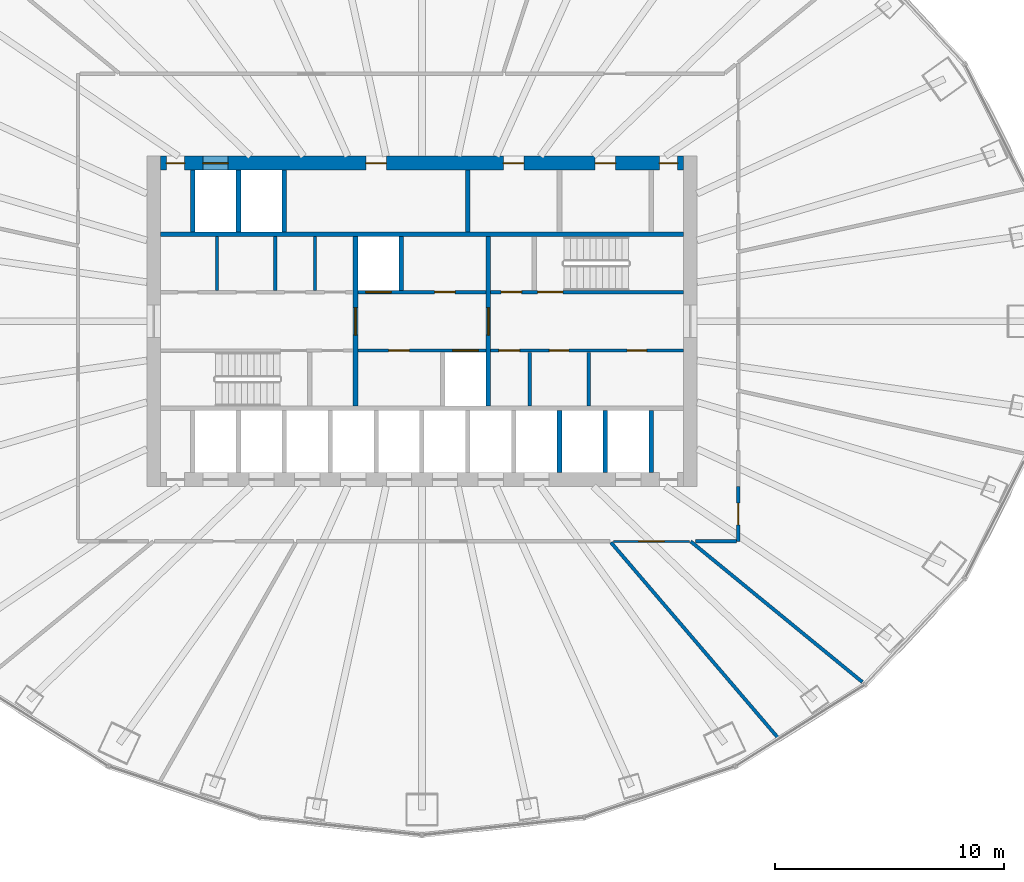
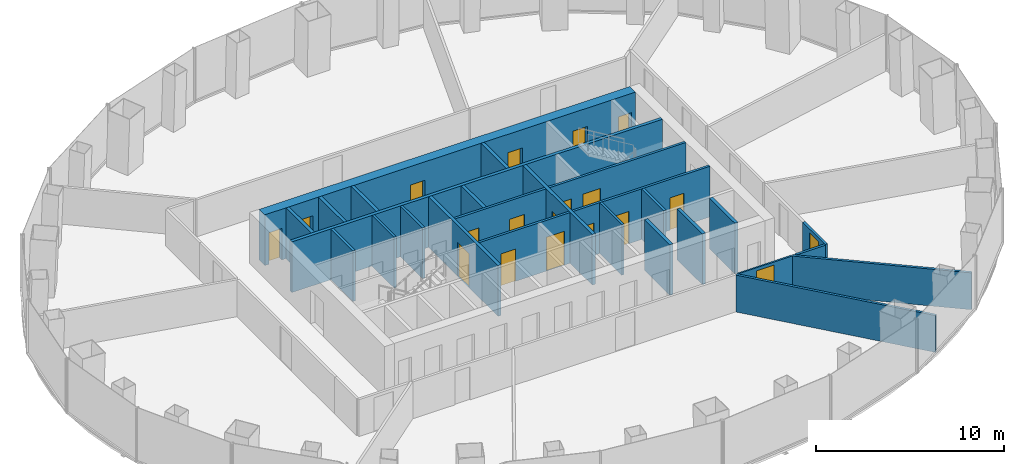
# One storey, part 9 of 11: 26 walls, 19 doors, 19 openings.
"""IFC4 building model written with IfcOpenShell, lengths in metres."""

from ifc_helpers import new_model, si_unit, direction, frame, frame_2d, origin, place, context, subcontext, project, spatial, rectangle, extrude, material, layer, layer_set, type_object, element, fill, save


model = new_model("IFC4")

# Units and contexts
model_context = context("Model", 3, precision=1e-05, world=origin(), true_north=direction((0.0, 1.0)))
body_context = subcontext(model_context, "Body", "Model", "MODEL_VIEW")
ifc_project = project(units=[si_unit("LENGTHUNIT", "METRE"), si_unit("AREAUNIT", "SQUARE_METRE"), si_unit("VOLUMEUNIT", "CUBIC_METRE"), si_unit("PLANEANGLEUNIT", "RADIAN"), si_unit("MASSUNIT", "GRAM", prefix="KILO")], contexts=[model_context])

# Site, building, storey
site_placement = place(None, origin())
site = spatial("IfcSite", under=ifc_project, at=site_placement, CompositionType="ELEMENT")
building_placement = place(site_placement, origin())
building = spatial("IfcBuilding", under=site, at=building_placement, Name="Siaravel Broadcast Tower", CompositionType="ELEMENT")
storey_placement = place(building_placement, frame((0.0, 0.0, 63.0)))
storey = spatial("IfcBuildingStorey", under=building, at=storey_placement, Name="L14", CompositionType="ELEMENT", Elevation=63.0)

# Walls
ifc_material_1 = material(Name="Concrete blockwork", Category="masonry")
ifc_layer_1 = layer(ifc_material_1, 0.14990234375)
ifc_layer_set_1 = layer_set([ifc_layer_1], Name="Concrete blockwork")
wall_type_1 = type_object("IfcWallType", Name="Core partition 150", PredefinedType="PARTITIONING", material=ifc_layer_set_1)
for number, where, z_axis, x_axis, name in (
    (1, (-8.93994140625, 1.35009765625, 0.0), (0.0, 0.0, 1.0), (0.0, 1.0, 0.0), "L14 core partition PNW0"),
    (2, (-6.405029296875, 1.35009765625, 0.0), (0.0, 0.0, 1.0), (0.0, 1.0, 0.0), "L14 core partition PNW1"),
    (3, (-4.6650390625, 1.35009765625, 0.0), (0.0, 0.0, 1.0), (0.0, 1.0, 0.0), "L14 core partition PNW2"),
    (4, (4.695068359375, -3.699951171875, 0.0), (0.0, 0.0, 1.0), (0.0, 1.0, 0.0), "L14 core partition PSE0"),
    (5, (7.27490234375, -3.699951171875, 0.0), (0.0, 0.0, 1.0), (0.0, 1.0, 0.0), "L14 core partition PSE1"),
):
    element("IfcWall", number, at=place(storey_placement, frame(where, z_axis=z_axis, x_axis=x_axis)), inside=storey, type_object=wall_type_1, Name=name, PredefinedType="PARTITIONING", context=body_context, shape_type="SweptSolid", body=[
        extrude(rectangle(XDim=2.349853515625, YDim=0.14990234375, at=frame_2d((1.1748046875, 0.0))), origin(), (0.0, 0.0, 1.0), 3.300048828125),
    ])
ifc_layer_2 = layer(ifc_material_1, 0.199951171875)
ifc_layer_set_2 = layer_set([ifc_layer_2], Name="Concrete blockwork")
wall_type_2 = type_object("IfcWallType", Name="Core partition 200", PredefinedType="PARTITIONING", material=ifc_layer_set_2)
wall_1_placement = place(storey_placement, frame((2.0, 3.89990234375, 0.0), z_axis=(0.0, 0.0, 1.0), x_axis=(0.0, 1.0, 0.0)))
element("IfcWall", 6, at=wall_1_placement, inside=storey, type_object=wall_type_2, Name="L14 core partition PFN2", PredefinedType="PARTITIONING", context=body_context, shape_type="SweptSolid", body=[
    extrude(rectangle(XDim=2.7001953125, YDim=0.199951171875, at=frame_2d((1.35009765625, 0.0))), origin(), (0.0, 0.0, 1.0), 3.300048828125),
])

# Wall, openings, doors
ifc_material_2 = material(Name="Concrete C60/75", Category="concrete")
ifc_layer_3 = layer(ifc_material_2, 0.60009765625)
ifc_layer_set_3 = layer_set([ifc_layer_3], Name="Concrete C60/75")
wall_type_3 = type_object("IfcWallType", Name="Core wall 600", PredefinedType="SHEAR", material=ifc_layer_set_3)
wall_2_placement = place(storey_placement, frame((-11.39990234375, 6.89990234375, 0.0), z_axis=(0.0, 0.0, 1.0), x_axis=(1.0, 0.0, 0.0)))
wall_2 = element("IfcWall", 7, at=wall_2_placement, inside=storey, type_object=wall_type_3, Name="L14 core wall ON", PredefinedType="SHEAR", context=body_context, shape_type="SweptSolid", body=[
    extrude(rectangle(XDim=22.7998046875, YDim=0.60009765625, at=frame_2d((11.39990234375, 0.0))), origin(), (0.0, 0.0, 1.0), 3.300048828125),
])
opening_1_placement = place(wall_2_placement, frame((1.85009765625, 0.0, 0.0)))
opening_1 = element("IfcOpeningElement", 8, at=opening_1_placement, cuts=wall_2, Name="Opening LD-SV2-L14", PredefinedType="OPENING", context=body_context, shape_type="SweptSolid", body=[
    extrude(rectangle(XDim=1.10009765625, YDim=2.199951171875, at=frame_2d((0.550048828125, 1.10009765625))), frame((0.0, 0.31005859375, 0.0), z_axis=(0.0, -1.0, 0.0), x_axis=(1.0, 0.0, 0.0)), (0.0, 0.0, 1.0), 0.6201171875),
])
opening_2_placement = place(wall_2_placement, frame((8.949951171875, 0.0, 0.0)))
opening_2 = element("IfcOpeningElement", 9, at=opening_2_placement, cuts=wall_2, Name="Opening L14-DFN2", PredefinedType="OPENING", context=body_context, shape_type="SweptSolid", body=[
    extrude(rectangle(XDim=0.89990234375, YDim=2.10009765625, at=frame_2d((0.449951171875, 1.050048828125))), frame((0.0, 0.31005859375, 0.0), z_axis=(0.0, -1.0, 0.0), x_axis=(1.0, 0.0, 0.0)), (0.0, 0.0, 1.0), 0.6201171875),
])
opening_3_placement = place(wall_2_placement, frame((14.949951171875, 0.0, 0.0)))
opening_3 = element("IfcOpeningElement", 10, at=opening_3_placement, cuts=wall_2, Name="Opening L14-DFN6", PredefinedType="OPENING", context=body_context, shape_type="SweptSolid", body=[
    extrude(rectangle(XDim=0.89990234375, YDim=2.10009765625, at=frame_2d((0.449951171875, 1.050048828125))), frame((0.0, 0.31005859375, 0.0), z_axis=(0.0, -1.0, 0.0), x_axis=(1.0, 0.0, 0.0)), (0.0, 0.0, 1.0), 0.6201171875),
])
opening_4_placement = place(wall_2_placement, frame((18.949951171875, 0.0, 0.0)))
opening_4 = element("IfcOpeningElement", 11, at=opening_4_placement, cuts=wall_2, Name="Opening L14-DFN8", PredefinedType="OPENING", context=body_context, shape_type="SweptSolid", body=[
    extrude(rectangle(XDim=0.89990234375, YDim=2.10009765625, at=frame_2d((0.449951171875, 1.050048828125))), frame((0.0, 0.31005859375, 0.0), z_axis=(0.0, -1.0, 0.0), x_axis=(1.0, 0.0, 0.0)), (0.0, 0.0, 1.0), 0.6201171875),
])
opening_5_placement = place(wall_2_placement, frame((0.25, 0.0, 0.0)))
opening_5 = element("IfcOpeningElement", 12, at=opening_5_placement, cuts=wall_2, Name="Opening L14-DRNW", PredefinedType="OPENING", context=body_context, shape_type="SweptSolid", body=[
    extrude(rectangle(XDim=0.800048828125, YDim=2.050048828125, at=frame_2d((0.39990234375, 1.02490234375))), frame((0.0, 0.31005859375, 0.0), z_axis=(0.0, -1.0, 0.0), x_axis=(1.0, 0.0, 0.0)), (0.0, 0.0, 1.0), 0.6201171875),
])
opening_6_placement = place(wall_2_placement, frame((21.75, 0.0, 0.0)))
opening_6 = element("IfcOpeningElement", 13, at=opening_6_placement, cuts=wall_2, Name="Opening L14-DRNE", PredefinedType="OPENING", context=body_context, shape_type="SweptSolid", body=[
    extrude(rectangle(XDim=0.800048828125, YDim=2.050048828125, at=frame_2d((0.39990234375, 1.02490234375))), frame((0.0, 0.31005859375, 0.0), z_axis=(0.0, -1.0, 0.0), x_axis=(1.0, 0.0, 0.0)), (0.0, 0.0, 1.0), 0.6201171875),
])
ifc_material_3 = material(Name="Timber veneer", Category="wood")
door_type_1 = type_object("IfcDoorType", Name="Core room door 900", OperationType="SINGLE_SWING_LEFT", PredefinedType="DOOR", material=ifc_material_3)
door_1_placement = place(opening_2_placement, origin())
door_1 = element("IfcDoor", 14, at=door_1_placement, inside=storey, type_object=door_type_1, Name="L14 door DFN2", OperationType="SINGLE_SWING_LEFT", OverallHeight=2.10009765625, OverallWidth=0.89990234375, PredefinedType="DOOR", context=body_context, shape_type="SweptSolid", body=[
    extrude(rectangle(XDim=0.89990234375, YDim=2.10009765625, at=frame_2d((0.449951171875, 1.050048828125))), frame((0.0, 0.02490234375, 0.0), z_axis=(0.0, -1.0, 0.0), x_axis=(1.0, 0.0, 0.0)), (0.0, 0.0, 1.0), 0.050048828125),
])
fill(opening_2, door_1)
door_2_placement = place(opening_3_placement, origin())
door_2 = element("IfcDoor", 15, at=door_2_placement, inside=storey, type_object=door_type_1, Name="L14 door DFN6", OperationType="SINGLE_SWING_LEFT", OverallHeight=2.10009765625, OverallWidth=0.89990234375, PredefinedType="DOOR", context=body_context, shape_type="SweptSolid", body=[
    extrude(rectangle(XDim=0.89990234375, YDim=2.10009765625, at=frame_2d((0.449951171875, 1.050048828125))), frame((0.0, 0.02490234375, 0.0), z_axis=(0.0, -1.0, 0.0), x_axis=(1.0, 0.0, 0.0)), (0.0, 0.0, 1.0), 0.050048828125),
])
fill(opening_3, door_2)
door_3_placement = place(opening_4_placement, origin())
door_3 = element("IfcDoor", 16, at=door_3_placement, inside=storey, type_object=door_type_1, Name="L14 door DFN8", OperationType="SINGLE_SWING_LEFT", OverallHeight=2.10009765625, OverallWidth=0.89990234375, PredefinedType="DOOR", context=body_context, shape_type="SweptSolid", body=[
    extrude(rectangle(XDim=0.89990234375, YDim=2.10009765625, at=frame_2d((0.449951171875, 1.050048828125))), frame((0.0, 0.02490234375, 0.0), z_axis=(0.0, -1.0, 0.0), x_axis=(1.0, 0.0, 0.0)), (0.0, 0.0, 1.0), 0.050048828125),
])
fill(opening_4, door_3)
ifc_material_4 = material(Name="Steel", Category="steel")
door_type_2 = type_object("IfcDoorType", Name="Riser door 800", OperationType="SINGLE_SWING_LEFT", PredefinedType="DOOR", material=ifc_material_4)
door_4_placement = place(opening_5_placement, origin())
door_4 = element("IfcDoor", 17, at=door_4_placement, inside=storey, type_object=door_type_2, Name="L14 door DRNW", OperationType="SINGLE_SWING_LEFT", OverallHeight=2.050048828125, OverallWidth=0.800048828125, PredefinedType="DOOR", context=body_context, shape_type="SweptSolid", body=[
    extrude(rectangle(XDim=0.800048828125, YDim=2.050048828125, at=frame_2d((0.39990234375, 1.02490234375))), frame((0.0, 0.02490234375, 0.0), z_axis=(0.0, -1.0, 0.0), x_axis=(1.0, 0.0, 0.0)), (0.0, 0.0, 1.0), 0.050048828125),
])
fill(opening_5, door_4)
door_5_placement = place(opening_6_placement, origin())
door_5 = element("IfcDoor", 18, at=door_5_placement, inside=storey, type_object=door_type_2, Name="L14 door DRNE", OperationType="SINGLE_SWING_LEFT", OverallHeight=2.050048828125, OverallWidth=0.800048828125, PredefinedType="DOOR", context=body_context, shape_type="SweptSolid", body=[
    extrude(rectangle(XDim=0.800048828125, YDim=2.050048828125, at=frame_2d((0.39990234375, 1.02490234375))), frame((0.0, 0.02490234375, 0.0), z_axis=(0.0, -1.0, 0.0), x_axis=(1.0, 0.0, 0.0)), (0.0, 0.0, 1.0), 0.050048828125),
])
fill(opening_6, door_5)
ifc_material_5 = material(Name="Stainless steel 316L", Category="steel")
door_type_3 = type_object("IfcDoorType", Name="Service lift landing door 1100", OperationType="DOUBLE_DOOR_SLIDING", PredefinedType="DOOR", material=ifc_material_5)
door_6_placement = place(opening_1_placement, origin())
door_6 = element("IfcDoor", 19, at=door_6_placement, inside=storey, type_object=door_type_3, Name="Landing door SV2 L14", OperationType="DOUBLE_DOOR_SLIDING", OverallHeight=2.199951171875, OverallWidth=1.10009765625, PredefinedType="DOOR", context=body_context, shape_type="SweptSolid", body=[
    extrude(rectangle(XDim=1.10009765625, YDim=2.199951171875, at=frame_2d((0.550048828125, 1.10009765625))), frame((0.0, 0.02490234375, 0.0), z_axis=(0.0, -1.0, 0.0), x_axis=(1.0, 0.0, 0.0)), (0.0, 0.0, 1.0), 0.050048828125),
])
fill(opening_1, door_6)

ifc_material_6 = material(Name="Gypsum board partition", Category="gypsum")
ifc_layer_4 = layer(ifc_material_6, 0.14990234375)
ifc_layer_set_4 = layer_set([ifc_layer_4], Name="Gypsum board partition")
wall_type_4 = type_object("IfcWallType", Name="Corridor wall 150", PredefinedType="PARTITIONING", material=ifc_layer_set_4)
wall_3_placement = place(storey_placement, frame((3.0, -1.27490234375, 0.0), z_axis=(0.0, 0.0, 1.0), x_axis=(1.0, 0.0, 0.0)))
wall_3 = element("IfcWall", 20, at=wall_3_placement, inside=storey, type_object=wall_type_4, Name="L14 core partition CSE", PredefinedType="PARTITIONING", context=body_context, shape_type="SweptSolid", body=[
    extrude(rectangle(XDim=8.39990234375, YDim=0.14990234375, at=frame_2d((4.199951171875, 0.0))), origin(), (0.0, 0.0, 1.0), 3.300048828125),
])
opening_7_placement = place(wall_3_placement, frame((0.360107421875, 0.0, 0.0)))
opening_7 = element("IfcOpeningElement", 21, at=opening_7_placement, cuts=wall_3, Name="Opening L14-DSE0", PredefinedType="OPENING", context=body_context, shape_type="SweptSolid", body=[
    extrude(rectangle(XDim=0.89990234375, YDim=2.10009765625, at=frame_2d((0.449951171875, 1.050048828125))), frame((0.0, 0.0849609375, 0.0), z_axis=(0.0, -1.0, 0.0), x_axis=(1.0, 0.0, 0.0)), (0.0, 0.0, 1.0), 0.169921875),
])
opening_8_placement = place(wall_3_placement, frame((2.56005859375, 0.0, 0.0)))
opening_8 = element("IfcOpeningElement", 22, at=opening_8_placement, cuts=wall_3, Name="Opening L14-DSE1", PredefinedType="OPENING", context=body_context, shape_type="SweptSolid", body=[
    extrude(rectangle(XDim=0.85009765625, YDim=2.10009765625, at=frame_2d((0.425048828125, 1.050048828125))), frame((0.0, 0.0849609375, 0.0), z_axis=(0.0, -1.0, 0.0), x_axis=(1.0, 0.0, 0.0)), (0.0, 0.0, 1.0), 0.169921875),
])
opening_9_placement = place(wall_3_placement, frame((5.949951171875, 0.0, 0.0)))
opening_9 = element("IfcOpeningElement", 23, at=opening_9_placement, cuts=wall_3, Name="Opening L14-DSE2", PredefinedType="OPENING", context=body_context, shape_type="SweptSolid", body=[
    extrude(rectangle(XDim=0.85009765625, YDim=2.10009765625, at=frame_2d((0.425048828125, 1.050048828125))), frame((0.0, 0.0849609375, 0.0), z_axis=(0.0, -1.0, 0.0), x_axis=(1.0, 0.0, 0.0)), (0.0, 0.0, 1.0), 0.169921875),
])
door_7_placement = place(opening_7_placement, origin())
door_7 = element("IfcDoor", 24, at=door_7_placement, inside=storey, type_object=door_type_1, Name="L14 door DSE0", OperationType="SINGLE_SWING_LEFT", OverallHeight=2.10009765625, OverallWidth=0.89990234375, PredefinedType="DOOR", context=body_context, shape_type="SweptSolid", body=[
    extrude(rectangle(XDim=0.89990234375, YDim=2.10009765625, at=frame_2d((0.449951171875, 1.050048828125))), frame((0.0, 0.02490234375, 0.0), z_axis=(0.0, -1.0, 0.0), x_axis=(1.0, 0.0, 0.0)), (0.0, 0.0, 1.0), 0.050048828125),
])
fill(opening_7, door_7)
door_type_4 = type_object("IfcDoorType", Name="Core toilet door 850", OperationType="SINGLE_SWING_LEFT", PredefinedType="DOOR", material=ifc_material_3)
door_8_placement = place(opening_8_placement, origin())
door_8 = element("IfcDoor", 25, at=door_8_placement, inside=storey, type_object=door_type_4, Name="L14 door DSE1", OperationType="SINGLE_SWING_LEFT", OverallHeight=2.10009765625, OverallWidth=0.85009765625, PredefinedType="DOOR", context=body_context, shape_type="SweptSolid", body=[
    extrude(rectangle(XDim=0.85009765625, YDim=2.10009765625, at=frame_2d((0.425048828125, 1.050048828125))), frame((0.0, 0.02490234375, 0.0), z_axis=(0.0, -1.0, 0.0), x_axis=(1.0, 0.0, 0.0)), (0.0, 0.0, 1.0), 0.050048828125),
])
fill(opening_8, door_8)
door_9_placement = place(opening_9_placement, origin())
door_9 = element("IfcDoor", 26, at=door_9_placement, inside=storey, type_object=door_type_4, Name="L14 door DSE2", OperationType="SINGLE_SWING_LEFT", OverallHeight=2.10009765625, OverallWidth=0.85009765625, PredefinedType="DOOR", context=body_context, shape_type="SweptSolid", body=[
    extrude(rectangle(XDim=0.85009765625, YDim=2.10009765625, at=frame_2d((0.425048828125, 1.050048828125))), frame((0.0, 0.02490234375, 0.0), z_axis=(0.0, -1.0, 0.0), x_axis=(1.0, 0.0, 0.0)), (0.0, 0.0, 1.0), 0.050048828125),
])
fill(opening_9, door_9)

# Wall, opening, door
wall_4_placement = place(storey_placement, frame((13.800048828125, -9.60009765625, 0.0), z_axis=(0.0, 0.0, 1.0), x_axis=(0.0, 1.0, 0.0)))
wall_4 = element("IfcWall", 27, at=wall_4_placement, inside=storey, type_object=wall_type_4, Name="L14 partition 25", PredefinedType="PARTITIONING", context=body_context, shape_type="SweptSolid", body=[
    extrude(rectangle(XDim=2.38720703125, YDim=0.14990234375, at=frame_2d((1.193603515625, 0.0))), origin(), (0.0, 0.0, 1.0), 2.39990234375),
])
opening_10_placement = place(wall_4_placement, frame((0.718505859375, 0.0, 0.0)))
opening_10 = element("IfcOpeningElement", 28, at=opening_10_placement, cuts=wall_4, Name="Opening L14-002", PredefinedType="OPENING", context=body_context, shape_type="SweptSolid", body=[
    extrude(rectangle(XDim=0.949951171875, YDim=2.14990234375, at=frame_2d((0.47509765625, 1.074951171875))), frame((0.0, 0.0849609375, 0.0), z_axis=(0.0, -1.0, 0.0), x_axis=(1.0, 0.0, 0.0)), (0.0, 0.0, 1.0), 0.169921875),
])
door_type_5 = type_object("IfcDoorType", Name="Office door 950", OperationType="SINGLE_SWING_LEFT", PredefinedType="DOOR", material=ifc_material_3)
door_10_placement = place(opening_10_placement, origin())
door_10 = element("IfcDoor", 29, at=door_10_placement, inside=storey, type_object=door_type_5, Name="L14 door to Graphics studio", OperationType="SINGLE_SWING_RIGHT", OverallHeight=2.14990234375, OverallWidth=0.949951171875, PredefinedType="DOOR", context=body_context, shape_type="SweptSolid", body=[
    extrude(rectangle(XDim=0.949951171875, YDim=2.14990234375, at=frame_2d((0.47509765625, 1.074951171875))), frame((0.0, 0.02490234375, 0.0), z_axis=(0.0, -1.0, 0.0), x_axis=(1.0, 0.0, 0.0)), (0.0, 0.0, 1.0), 0.050048828125),
])
fill(opening_10, door_10)

# Wall
wall_5_placement = place(storey_placement, frame((11.931884765625, -9.60009765625, 0.0), z_axis=(0.0, 0.0, 1.0), x_axis=(1.0, 0.0, 0.0)))
element("IfcWall", 30, at=wall_5_placement, inside=storey, type_object=wall_type_4, Name="L14 partition 26", PredefinedType="PARTITIONING", context=body_context, shape_type="SweptSolid", body=[
    extrude(rectangle(XDim=1.791015625, YDim=0.14990234375, at=frame_2d((0.8955078125, 0.0))), origin(), (0.0, 0.0, 1.0), 2.39990234375),
])

# Wall, opening, door
ifc_material_7 = material(Name="Glazed aluminium partition", Category="aluminium")
ifc_layer_5 = layer(ifc_material_7, 0.10009765625)
ifc_layer_set_5 = layer_set([ifc_layer_5], Name="Glazed aluminium partition")
wall_type_5 = type_object("IfcWallType", Name="Glazed meeting room partition 100", PredefinedType="PARTITIONING", material=ifc_layer_set_5)
wall_6_placement = place(storey_placement, frame((8.349853515625, -9.60009765625, 0.0), z_axis=(0.0, 0.0, 1.0), x_axis=(1.0, 0.0, 0.0)))
wall_6 = element("IfcWall", 31, at=wall_6_placement, inside=storey, type_object=wall_type_5, Name="L14 partition 22", PredefinedType="PARTITIONING", context=body_context, shape_type="SweptSolid", body=[
    extrude(rectangle(XDim=3.3271484375, YDim=0.10009765625, at=frame_2d((1.66357421875, 0.0))), origin(), (0.0, 0.0, 1.0), 2.39990234375),
])
opening_11_placement = place(wall_6_placement, frame((1.113525390625, 0.0, 0.0)))
opening_11 = element("IfcOpeningElement", 32, at=opening_11_placement, cuts=wall_6, Name="Opening L14-013", PredefinedType="OPENING", context=body_context, shape_type="SweptSolid", body=[
    extrude(rectangle(XDim=1.10009765625, YDim=2.199951171875, at=frame_2d((0.550048828125, 1.10009765625))), frame((0.0, 0.06005859375, 0.0), z_axis=(0.0, -1.0, 0.0), x_axis=(1.0, 0.0, 0.0)), (0.0, 0.0, 1.0), 0.1201171875),
])
door_type_6 = type_object("IfcDoorType", Name="Meeting room door 1100", OperationType="SINGLE_SWING_LEFT", PredefinedType="DOOR", material=ifc_material_3)
door_11_placement = place(opening_11_placement, origin())
door_11 = element("IfcDoor", 33, at=door_11_placement, inside=storey, type_object=door_type_6, Name="L14 door to Meeting room", OperationType="SINGLE_SWING_LEFT", OverallHeight=2.199951171875, OverallWidth=1.10009765625, PredefinedType="DOOR", context=body_context, shape_type="SweptSolid", body=[
    extrude(rectangle(XDim=1.10009765625, YDim=2.199951171875, at=frame_2d((0.550048828125, 1.10009765625))), frame((0.0, 0.02490234375, 0.0), z_axis=(0.0, -1.0, 0.0), x_axis=(1.0, 0.0, 0.0)), (0.0, 0.0, 1.0), 0.050048828125),
])
fill(opening_11, door_11)

# Walls
ifc_layer_6 = layer(ifc_material_6, 0.14990234375)
ifc_layer_set_6 = layer_set([ifc_layer_6], Name="Gypsum board partition")
wall_type_6 = type_object("IfcWallType", Name="Room partition 150", PredefinedType="PARTITIONING", material=ifc_layer_set_6)
wall_7_placement = place(storey_placement, frame((15.577392578125, -18.22265625, 0.0), z_axis=(0.0, 0.0, 1.0), x_axis=(-0.649782359, 0.76012031, 0.0)))
element("IfcWall", 34, at=wall_7_placement, inside=storey, type_object=wall_type_6, Name="L14 partition 7", PredefinedType="PARTITIONING", context=body_context, shape_type="SweptSolid", body=[
    extrude(rectangle(XDim=11.28466796875, YDim=0.14990234375, at=frame_2d((5.642333984375, 0.0))), origin(), (0.0, 0.0, 1.0), 2.39990234375),
])
wall_8_placement = place(storey_placement, frame((11.72021484375, -9.60009765625, 0.0), z_axis=(0.0, 0.0, 1.0), x_axis=(0.77360313, -0.633670417, 0.0)))
element("IfcWall", 35, at=wall_8_placement, inside=storey, type_object=wall_type_6, Name="L14 partition 11", PredefinedType="PARTITIONING", context=body_context, shape_type="SweptSolid", body=[
    extrude(rectangle(XDim=9.677734375, YDim=0.14990234375, at=frame_2d((4.8388671875, 0.0))), origin(), (0.0, 0.0, 1.0), 2.39990234375),
])

# Wall, openings, doors
ifc_layer_7 = layer(ifc_material_2, 0.14990234375)
ifc_layer_set_7 = layer_set([ifc_layer_7], Name="Concrete C60/75")
wall_type_7 = type_object("IfcWallType", Name="Shaft wall 150", PredefinedType="SHEAR", material=ifc_layer_set_7)
wall_9_placement = place(storey_placement, frame((-2.800048828125, -1.27490234375, 0.0), z_axis=(0.0, 0.0, 1.0), x_axis=(1.0, 0.0, 0.0)))
wall_9 = element("IfcWall", 36, at=wall_9_placement, inside=storey, type_object=wall_type_7, Name="L14 core wall CSM", PredefinedType="SHEAR", context=body_context, shape_type="SweptSolid", body=[
    extrude(rectangle(XDim=5.60009765625, YDim=0.14990234375, at=frame_2d((2.800048828125, 0.0))), origin(), (0.0, 0.0, 1.0), 3.300048828125),
])
opening_12_placement = place(wall_9_placement, frame((4.14990234375, 0.0, 0.0)))
opening_12 = element("IfcOpeningElement", 37, at=opening_12_placement, cuts=wall_9, Name="Opening LD-FL2-L14", PredefinedType="OPENING", context=body_context, shape_type="SweptSolid", body=[
    extrude(rectangle(XDim=1.10009765625, YDim=2.199951171875, at=frame_2d((0.550048828125, 1.10009765625))), frame((0.0, 0.0849609375, 0.0), z_axis=(0.0, -1.0, 0.0), x_axis=(1.0, 0.0, 0.0)), (0.0, 0.0, 1.0), 0.169921875),
])
opening_13_placement = place(wall_9_placement, frame((1.35009765625, 0.0, 0.0)))
opening_13 = element("IfcOpeningElement", 38, at=opening_13_placement, cuts=wall_9, Name="Opening L14-DSM0", PredefinedType="OPENING", context=body_context, shape_type="SweptSolid", body=[
    extrude(rectangle(XDim=0.89990234375, YDim=2.10009765625, at=frame_2d((0.449951171875, 1.050048828125))), frame((0.0, 0.0849609375, 0.0), z_axis=(0.0, -1.0, 0.0), x_axis=(1.0, 0.0, 0.0)), (0.0, 0.0, 1.0), 0.169921875),
])
door_12_placement = place(opening_13_placement, origin())
door_12 = element("IfcDoor", 39, at=door_12_placement, inside=storey, type_object=door_type_1, Name="L14 door DSM0", OperationType="SINGLE_SWING_LEFT", OverallHeight=2.10009765625, OverallWidth=0.89990234375, PredefinedType="DOOR", context=body_context, shape_type="SweptSolid", body=[
    extrude(rectangle(XDim=0.89990234375, YDim=2.10009765625, at=frame_2d((0.449951171875, 1.050048828125))), frame((0.0, 0.02490234375, 0.0), z_axis=(0.0, -1.0, 0.0), x_axis=(1.0, 0.0, 0.0)), (0.0, 0.0, 1.0), 0.050048828125),
])
fill(opening_13, door_12)
door_type_7 = type_object("IfcDoorType", Name="Firefighting lift landing door 1100", OperationType="DOUBLE_DOOR_SLIDING", PredefinedType="DOOR", material=ifc_material_5)
door_13_placement = place(opening_12_placement, origin())
door_13 = element("IfcDoor", 40, at=door_13_placement, inside=storey, type_object=door_type_7, Name="Landing door FL2 L14", OperationType="DOUBLE_DOOR_SLIDING", OverallHeight=2.199951171875, OverallWidth=1.10009765625, PredefinedType="DOOR", context=body_context, shape_type="SweptSolid", body=[
    extrude(rectangle(XDim=1.10009765625, YDim=2.199951171875, at=frame_2d((0.550048828125, 1.10009765625))), frame((0.0, 0.02490234375, 0.0), z_axis=(0.0, -1.0, 0.0), x_axis=(1.0, 0.0, 0.0)), (0.0, 0.0, 1.0), 0.050048828125),
])
fill(opening_12, door_13)

wall_10_placement = place(storey_placement, frame((-2.800048828125, 1.27490234375, 0.0), z_axis=(0.0, 0.0, 1.0), x_axis=(1.0, 0.0, 0.0)))
wall_10 = element("IfcWall", 41, at=wall_10_placement, inside=storey, type_object=wall_type_7, Name="L14 core wall CNM", PredefinedType="SHEAR", context=body_context, shape_type="SweptSolid", body=[
    extrude(rectangle(XDim=5.60009765625, YDim=0.14990234375, at=frame_2d((2.800048828125, 0.0))), origin(), (0.0, 0.0, 1.0), 3.300048828125),
])
opening_14_placement = place(wall_10_placement, frame((0.35009765625, 0.0, 0.0)))
opening_14 = element("IfcOpeningElement", 42, at=opening_14_placement, cuts=wall_10, Name="Opening LD-FL1-L14", PredefinedType="OPENING", context=body_context, shape_type="SweptSolid", body=[
    extrude(rectangle(XDim=1.10009765625, YDim=2.199951171875, at=frame_2d((0.550048828125, 1.10009765625))), frame((0.0, 0.0849609375, 0.0), z_axis=(0.0, -1.0, 0.0), x_axis=(1.0, 0.0, 0.0)), (0.0, 0.0, 1.0), 0.169921875),
])
opening_15_placement = place(wall_10_placement, frame((3.35009765625, 0.0, 0.0)))
opening_15 = element("IfcOpeningElement", 43, at=opening_15_placement, cuts=wall_10, Name="Opening L14-DNM0", PredefinedType="OPENING", context=body_context, shape_type="SweptSolid", body=[
    extrude(rectangle(XDim=0.89990234375, YDim=2.10009765625, at=frame_2d((0.449951171875, 1.050048828125))), frame((0.0, 0.0849609375, 0.0), z_axis=(0.0, -1.0, 0.0), x_axis=(1.0, 0.0, 0.0)), (0.0, 0.0, 1.0), 0.169921875),
])
door_14_placement = place(opening_15_placement, origin())
door_14 = element("IfcDoor", 44, at=door_14_placement, inside=storey, type_object=door_type_1, Name="L14 door DNM0", OperationType="SINGLE_SWING_LEFT", OverallHeight=2.10009765625, OverallWidth=0.89990234375, PredefinedType="DOOR", context=body_context, shape_type="SweptSolid", body=[
    extrude(rectangle(XDim=0.89990234375, YDim=2.10009765625, at=frame_2d((0.449951171875, 1.050048828125))), frame((0.0, 0.02490234375, 0.0), z_axis=(0.0, -1.0, 0.0), x_axis=(1.0, 0.0, 0.0)), (0.0, 0.0, 1.0), 0.050048828125),
])
fill(opening_15, door_14)
door_15_placement = place(opening_14_placement, origin())
door_15 = element("IfcDoor", 45, at=door_15_placement, inside=storey, type_object=door_type_7, Name="Landing door FL1 L14", OperationType="DOUBLE_DOOR_SLIDING", OverallHeight=2.199951171875, OverallWidth=1.10009765625, PredefinedType="DOOR", context=body_context, shape_type="SweptSolid", body=[
    extrude(rectangle(XDim=1.10009765625, YDim=2.199951171875, at=frame_2d((0.550048828125, 1.10009765625))), frame((0.0, 0.02490234375, 0.0), z_axis=(0.0, -1.0, 0.0), x_axis=(1.0, 0.0, 0.0)), (0.0, 0.0, 1.0), 0.050048828125),
])
fill(opening_14, door_15)

wall_11_placement = place(storey_placement, frame((3.0, 1.27490234375, 0.0), z_axis=(0.0, 0.0, 1.0), x_axis=(1.0, 0.0, 0.0)))
wall_11 = element("IfcWall", 46, at=wall_11_placement, inside=storey, type_object=wall_type_7, Name="L14 core wall CNE", PredefinedType="SHEAR", context=body_context, shape_type="SweptSolid", body=[
    extrude(rectangle(XDim=8.39990234375, YDim=0.14990234375, at=frame_2d((4.199951171875, 0.0))), origin(), (0.0, 0.0, 1.0), 3.300048828125),
])
opening_16_placement = place(wall_11_placement, frame((2.050048828125, 0.0, 0.0)))
opening_16 = element("IfcOpeningElement", 47, at=opening_16_placement, cuts=wall_11, Name="Opening L14-DS-2", PredefinedType="OPENING", context=body_context, shape_type="SweptSolid", body=[
    extrude(rectangle(XDim=1.10009765625, YDim=2.14990234375, at=frame_2d((0.550048828125, 1.074951171875))), frame((0.0, 0.0849609375, 0.0), z_axis=(0.0, -1.0, 0.0), x_axis=(1.0, 0.0, 0.0)), (0.0, 0.0, 1.0), 0.169921875),
])
opening_17_placement = place(wall_11_placement, frame((0.449951171875, 0.0, 0.0)))
opening_17 = element("IfcOpeningElement", 48, at=opening_17_placement, cuts=wall_11, Name="Opening L14-DNE0", PredefinedType="OPENING", context=body_context, shape_type="SweptSolid", body=[
    extrude(rectangle(XDim=0.89990234375, YDim=2.10009765625, at=frame_2d((0.449951171875, 1.050048828125))), frame((0.0, 0.0849609375, 0.0), z_axis=(0.0, -1.0, 0.0), x_axis=(1.0, 0.0, 0.0)), (0.0, 0.0, 1.0), 0.169921875),
])
door_16_placement = place(opening_17_placement, origin())
door_16 = element("IfcDoor", 49, at=door_16_placement, inside=storey, type_object=door_type_1, Name="L14 door DNE0", OperationType="SINGLE_SWING_LEFT", OverallHeight=2.10009765625, OverallWidth=0.89990234375, PredefinedType="DOOR", context=body_context, shape_type="SweptSolid", body=[
    extrude(rectangle(XDim=0.89990234375, YDim=2.10009765625, at=frame_2d((0.449951171875, 1.050048828125))), frame((0.0, 0.02490234375, 0.0), z_axis=(0.0, -1.0, 0.0), x_axis=(1.0, 0.0, 0.0)), (0.0, 0.0, 1.0), 0.050048828125),
])
fill(opening_17, door_16)
door_type_8 = type_object("IfcDoorType", Name="Stair door 1100", OperationType="SINGLE_SWING_LEFT", PredefinedType="DOOR", material=ifc_material_4)
door_17_placement = place(opening_16_placement, origin())
door_17 = element("IfcDoor", 50, at=door_17_placement, inside=storey, type_object=door_type_8, Name="L14 door DS-2", OperationType="SINGLE_SWING_LEFT", OverallHeight=2.14990234375, OverallWidth=1.10009765625, PredefinedType="DOOR", context=body_context, shape_type="SweptSolid", body=[
    extrude(rectangle(XDim=1.10009765625, YDim=2.14990234375, at=frame_2d((0.550048828125, 1.074951171875))), frame((0.0, 0.02490234375, 0.0), z_axis=(0.0, -1.0, 0.0), x_axis=(1.0, 0.0, 0.0)), (0.0, 0.0, 1.0), 0.050048828125),
])
fill(opening_16, door_17)

# Walls
ifc_layer_8 = layer(ifc_material_2, 0.199951171875)
ifc_layer_set_8 = layer_set([ifc_layer_8], Name="Concrete C60/75")
wall_type_8 = type_object("IfcWallType", Name="Shaft wall 200", PredefinedType="SHEAR", material=ifc_layer_set_8)
wall_12_placement = place(storey_placement, frame((-11.39990234375, 3.800048828125, 0.0), z_axis=(0.0, 0.0, 1.0), x_axis=(1.0, 0.0, 0.0)))
element("IfcWall", 51, at=wall_12_placement, inside=storey, type_object=wall_type_8, Name="L14 core wall BN", PredefinedType="SHEAR", context=body_context, shape_type="SweptSolid", body=[
    extrude(rectangle(XDim=22.7998046875, YDim=0.199951171875, at=frame_2d((11.39990234375, 0.0))), origin(), (0.0, 0.0, 1.0), 3.300048828125),
])
for number, where, z_axis, x_axis, name in (
    (52, (6.0, -6.60009765625, 0.0), (0.0, 0.0, 1.0), (0.0, 1.0, 0.0), "L14 core wall SWS8"),
    (53, (8.0, -6.60009765625, 0.0), (0.0, 0.0, 1.0), (0.0, 1.0, 0.0), "L14 core wall SWS9"),
    (54, (10.0, -6.60009765625, 0.0), (0.0, 0.0, 1.0), (0.0, 1.0, 0.0), "L14 core wall SWS10"),
    (55, (-10.0, 3.89990234375, 0.0), (0.0, 0.0, 1.0), (0.0, 1.0, 0.0), "L14 core wall SWN0"),
    (56, (-8.0, 3.89990234375, 0.0), (0.0, 0.0, 1.0), (0.0, 1.0, 0.0), "L14 core wall SWN1"),
    (57, (-6.0, 3.89990234375, 0.0), (0.0, 0.0, 1.0), (0.0, 1.0, 0.0), "L14 core wall SWN2"),
):
    element("IfcWall", number, at=place(storey_placement, frame(where, z_axis=z_axis, x_axis=x_axis)), inside=storey, type_object=wall_type_8, Name=name, PredefinedType="SHEAR", context=body_context, shape_type="SweptSolid", body=[
        extrude(rectangle(XDim=2.7001953125, YDim=0.199951171875, at=frame_2d((1.35009765625, 0.0))), origin(), (0.0, 0.0, 1.0), 3.300048828125),
    ])

# Wall, opening, door
wall_13_placement = place(storey_placement, frame((-2.89990234375, -3.699951171875, 0.0), z_axis=(0.0, 0.0, 1.0), x_axis=(0.0, 1.0, 0.0)))
wall_13 = element("IfcWall", 58, at=wall_13_placement, inside=storey, type_object=wall_type_8, Name="L14 core wall LW", PredefinedType="SHEAR", context=body_context, shape_type="SweptSolid", body=[
    extrude(rectangle(XDim=7.39990234375, YDim=0.199951171875, at=frame_2d((3.699951171875, 0.0))), origin(), (0.0, 0.0, 1.0), 3.300048828125),
])
opening_18_placement = place(wall_13_placement, frame((3.10009765625, 0.0, 0.0)))
opening_18 = element("IfcOpeningElement", 59, at=opening_18_placement, cuts=wall_13, Name="Opening L14-DL-W", PredefinedType="OPENING", context=body_context, shape_type="SweptSolid", body=[
    extrude(rectangle(XDim=1.199951171875, YDim=2.199951171875, at=frame_2d((0.60009765625, 1.10009765625))), frame((0.0, 0.10986328125, 0.0), z_axis=(0.0, -1.0, 0.0), x_axis=(1.0, 0.0, 0.0)), (0.0, 0.0, 1.0), 0.219970703125),
])
door_type_9 = type_object("IfcDoorType", Name="Firefighting lobby door 1200", OperationType="SINGLE_SWING_LEFT", PredefinedType="DOOR", material=ifc_material_4)
door_18_placement = place(opening_18_placement, origin())
door_18 = element("IfcDoor", 60, at=door_18_placement, inside=storey, type_object=door_type_9, Name="L14 door DL-W", OperationType="SINGLE_SWING_LEFT", OverallHeight=2.199951171875, OverallWidth=1.199951171875, PredefinedType="DOOR", context=body_context, shape_type="SweptSolid", body=[
    extrude(rectangle(XDim=1.199951171875, YDim=2.199951171875, at=frame_2d((0.60009765625, 1.10009765625))), frame((0.0, 0.02490234375, 0.0), z_axis=(0.0, -1.0, 0.0), x_axis=(1.0, 0.0, 0.0)), (0.0, 0.0, 1.0), 0.050048828125),
])
fill(opening_18, door_18)

wall_14_placement = place(storey_placement, frame((2.89990234375, -3.699951171875, 0.0), z_axis=(0.0, 0.0, 1.0), x_axis=(0.0, 1.0, 0.0)))
wall_14 = element("IfcWall", 61, at=wall_14_placement, inside=storey, type_object=wall_type_8, Name="L14 core wall LE", PredefinedType="SHEAR", context=body_context, shape_type="SweptSolid", body=[
    extrude(rectangle(XDim=7.39990234375, YDim=0.199951171875, at=frame_2d((3.699951171875, 0.0))), origin(), (0.0, 0.0, 1.0), 3.300048828125),
])
opening_19_placement = place(wall_14_placement, frame((3.10009765625, 0.0, 0.0)))
opening_19 = element("IfcOpeningElement", 62, at=opening_19_placement, cuts=wall_14, Name="Opening L14-DL-E", PredefinedType="OPENING", context=body_context, shape_type="SweptSolid", body=[
    extrude(rectangle(XDim=1.199951171875, YDim=2.199951171875, at=frame_2d((0.60009765625, 1.10009765625))), frame((0.0, 0.10986328125, 0.0), z_axis=(0.0, -1.0, 0.0), x_axis=(1.0, 0.0, 0.0)), (0.0, 0.0, 1.0), 0.219970703125),
])
door_19_placement = place(opening_19_placement, origin())
door_19 = element("IfcDoor", 63, at=door_19_placement, inside=storey, type_object=door_type_9, Name="L14 door DL-E", OperationType="SINGLE_SWING_LEFT", OverallHeight=2.199951171875, OverallWidth=1.199951171875, PredefinedType="DOOR", context=body_context, shape_type="SweptSolid", body=[
    extrude(rectangle(XDim=1.199951171875, YDim=2.199951171875, at=frame_2d((0.60009765625, 1.10009765625))), frame((0.0, 0.02490234375, 0.0), z_axis=(0.0, -1.0, 0.0), x_axis=(1.0, 0.0, 0.0)), (0.0, 0.0, 1.0), 0.050048828125),
])
fill(opening_19, door_19)

# Wall
wall_15_placement = place(storey_placement, frame((-0.89990234375, 1.35009765625, 0.0), z_axis=(0.0, 0.0, 1.0), x_axis=(0.0, 1.0, 0.0)))
element("IfcWall", 64, at=wall_15_placement, inside=storey, type_object=wall_type_8, Name="L14 core wall FF1E", PredefinedType="SHEAR", context=body_context, shape_type="SweptSolid", body=[
    extrude(rectangle(XDim=2.349853515625, YDim=0.199951171875, at=frame_2d((1.1748046875, 0.0))), origin(), (0.0, 0.0, 1.0), 3.300048828125),
])

save(model, "model.ifc")
